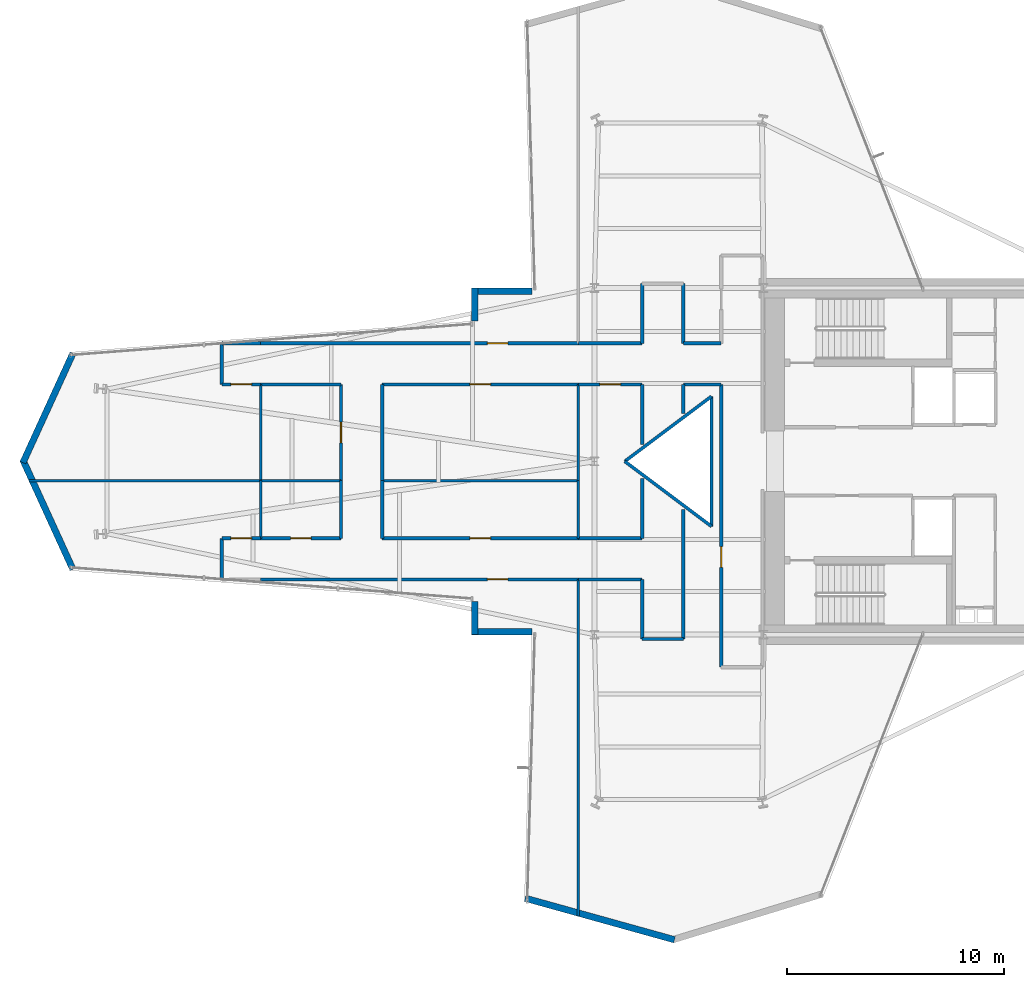
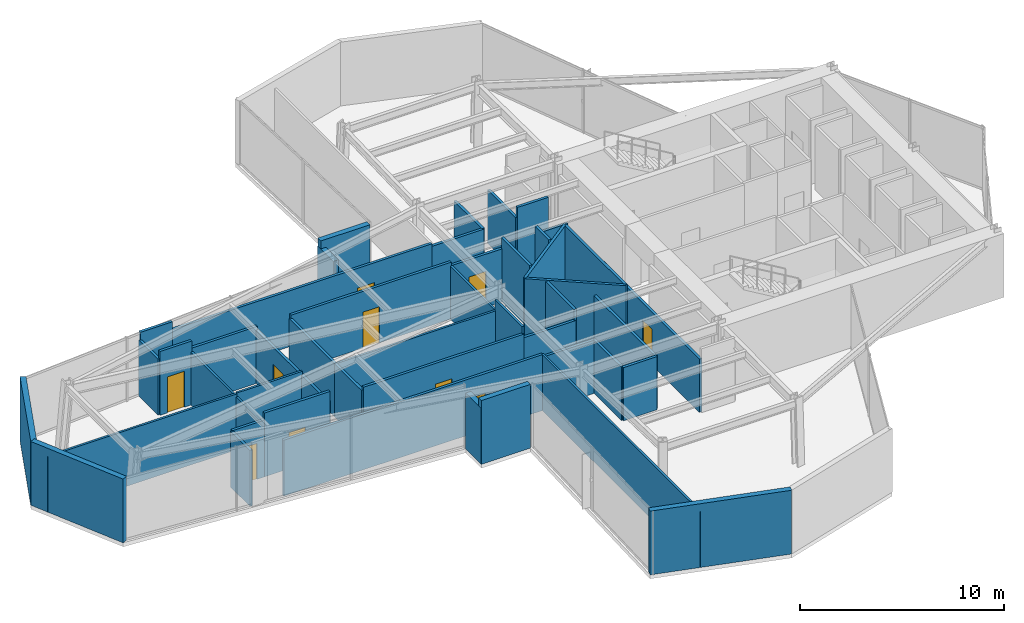
# One storey, part 26 of 29: 48 walls, 10 doors, 10 openings.
"""IFC4 building model written with IfcOpenShell, lengths in metres."""

import ifcopenshell
import ifcopenshell.guid

model = None  # the IFC model being written
_history = None  # IfcOwnerHistory: only IFC2X3 demands one
_inside = {}  # id of a spatial element -> (the spatial element, [elements in it])
_under = {}  # id of a project, library or spatial element -> (it, [spatial elements below it])
_declared = {}  # id of a project -> (the project, [libraries it declares])
_typed = {}  # id of a type object -> (the type object, [elements of that type])
_made_of = {}  # id of a material, layer set ... -> (it, [elements and type objects made of it])


def new_model(schema):
    """Start an empty IFC model of exactly this schema.

    Asked for "IFC4X3", IfcOpenShell would pick the latest addendum, in which some entities
    have other attributes; the version numbers below select the first issue.
    IFC2X3 requires an IfcOwnerHistory on every rooted entity: one is made here for all.
    """
    global model, _history
    if schema == "IFC4X3":
        model = ifcopenshell.file(schema_version=(4, 3, 0, 0))
    else:
        model = ifcopenshell.file(schema=schema)
    _inside.clear()
    _under.clear()
    _declared.clear()
    _typed.clear()
    _made_of.clear()
    _history = None
    if model.schema == "IFC2X3":
        org = make("IfcOrganization", Name="unknown")
        user = make(
            "IfcPersonAndOrganization",
            ThePerson=make("IfcPerson", FamilyName="unknown"),
            TheOrganization=org,
        )
        app = make(
            "IfcApplication",
            ApplicationDeveloper=org,
            Version="unknown",
            ApplicationFullName="unknown",
            ApplicationIdentifier="unknown",
        )
        _history = make(
            "IfcOwnerHistory",
            OwningUser=user,
            OwningApplication=app,
            ChangeAction="ADDED",
            CreationDate=0,
        )
    return model


def make(cls, **values):
    """One entity of the class cls with the attributes given. An attribute that is None is left unset."""
    return model.create_entity(
        cls, **{name: value for name, value in values.items() if value is not None}
    )


def rooted(cls, **values):
    """An entity with a GlobalId (a new one), such as an element, a storey or a relation."""
    return make(cls, GlobalId=ifcopenshell.guid.new(), OwnerHistory=_history, **values)


def si_unit(unit_type, name, prefix=None):
    """IfcSIUnit, for example si_unit("LENGTHUNIT", "METRE", prefix="MILLI")."""
    return make("IfcSIUnit", UnitType=unit_type, Prefix=prefix, Name=name)


def assignment(units):
    """IfcUnitAssignment: the units of a project."""
    return None if units is None else make("IfcUnitAssignment", Units=units)


def point(xyz):
    """IfcCartesianPoint."""
    return None if xyz is None else make("IfcCartesianPoint", Coordinates=xyz)


def direction(xyz):
    """IfcDirection."""
    return None if xyz is None else make("IfcDirection", DirectionRatios=xyz)


def frame(location, z_axis=None, x_axis=None):
    """IfcAxis2Placement3D, a coordinate frame: its origin and axes. An axis left out is left unset."""
    return make(
        "IfcAxis2Placement3D",
        Location=point(location),
        Axis=direction(z_axis),
        RefDirection=direction(x_axis),
    )


def frame_2d(location, x_axis=None):
    """IfcAxis2Placement2D, a coordinate frame in the plane: its origin and x axis."""
    return make(
        "IfcAxis2Placement2D", Location=point(location), RefDirection=direction(x_axis)
    )


def origin():
    """The frame at (0, 0, 0) with its axes left unset."""
    return frame((0.0, 0.0, 0.0))


def place(relative_to, where):
    """IfcLocalPlacement: puts the frame where relative to a parent placement (None: the world)."""
    return make(
        "IfcLocalPlacement", PlacementRelTo=relative_to, RelativePlacement=where
    )


def context(
    kind, dimensions, precision=None, world=None, true_north=None, identifier=None
):
    """IfcGeometricRepresentationContext, for example the 3D "Model" context."""
    return make(
        "IfcGeometricRepresentationContext",
        ContextIdentifier=identifier,
        ContextType=kind,
        CoordinateSpaceDimension=dimensions,
        Precision=precision,
        WorldCoordinateSystem=world,
        TrueNorth=true_north,
    )


def subcontext(parent, identifier, kind, view, scale=None):
    """IfcGeometricRepresentationSubContext, for example "Body" below "Model"."""
    return make(
        "IfcGeometricRepresentationSubContext",
        ContextIdentifier=identifier,
        ContextType=kind,
        ParentContext=parent,
        TargetScale=scale,
        TargetView=view,
    )


def project(units=None, contexts=None):
    """IfcProject with its units and contexts."""
    return rooted(
        "IfcProject",
        Name="project",
        RepresentationContexts=contexts,
        UnitsInContext=assignment(units),
    )


def spatial(cls, under=None, at=None, **own):
    """A site, building, storey or space (cls), placed at a placement, below another one or the project."""
    s = rooted(cls, ObjectPlacement=at, **own)
    if under is not None:
        _under.setdefault(under.id(), (under, []))[1].append(s)
    return s


def profile(cls, at=None, kind="AREA", **sizes):
    """A parametric profile (cls). Its sizes go by their IFC names, for example OverallWidth=200.0."""
    return make(cls, ProfileType=kind, Position=at, **sizes)


def rectangle(**sizes):
    """IfcRectangleProfileDef."""
    return profile("IfcRectangleProfileDef", **sizes)


def extrude(swept, where, along, depth):
    """IfcExtrudedAreaSolid: the profile swept, set in the frame where, extruded along a direction by depth."""
    return make(
        "IfcExtrudedAreaSolid",
        SweptArea=swept,
        Position=where,
        ExtrudedDirection=direction(along),
        Depth=depth,
    )


def shape(context_of_items, identifier, shape_type, items):
    """IfcShapeRepresentation: the items that make up one representation, for example the "Body"."""
    return make(
        "IfcShapeRepresentation",
        ContextOfItems=context_of_items,
        RepresentationIdentifier=identifier,
        RepresentationType=shape_type,
        Items=items,
    )


def material(Name=None, Category=None):
    """IfcMaterial."""
    return make("IfcMaterial", Name=Name, Category=Category)


def layer(
    of_material, thickness, ventilated=None, Name=None, Category=None, Priority=None
):
    """IfcMaterialLayer: one layer of a wall or slab, of a material (None: an air gap)."""
    return make(
        "IfcMaterialLayer",
        Material=of_material,
        LayerThickness=thickness,
        IsVentilated=ventilated,
        Name=Name,
        Category=Category,
        Priority=Priority,
    )


def layer_set(layers, Name=None):
    """IfcMaterialLayerSet."""
    return make("IfcMaterialLayerSet", MaterialLayers=layers, LayerSetName=Name)


def made_of(thing, what):
    """Note that an element or type object is made of a material, layer set ...; save() writes the relation."""
    if what is not None:
        _made_of.setdefault(what.id(), (what, []))[1].append(thing)
    return thing


def type_object(cls, material=None, **own):
    """A type object (cls), such as IfcWallType, which elements share."""
    return made_of(rooted(cls, **own), material)


def element(
    cls,
    number,
    at=None,
    inside=None,
    cuts=None,
    type_object=None,
    material=None,
    context=None,
    identifier="Body",
    shape_type=None,
    held_by="IfcProductDefinitionShape",
    body=None,
    shapes=None,
    **own,
):
    """One element of the class cls, such as IfcWall. Its Tag is "e" and its number.

    at: its placement. inside: the storey or other place that contains it. cuts: it is an
    opening in that element (IfcRelVoidsElement). A single representation is given by context,
    identifier, shape_type and body (its items); several are given by shapes. held_by: the class
    of the entity that holds the representations. save() writes the other relations.
    """
    e = rooted(cls, Tag="e%d" % number, ObjectPlacement=at, **own)
    if body is not None:
        shapes = [shape(context, identifier, shape_type, body)]
    if shapes is not None:
        e.Representation = make(held_by, Representations=shapes)
    if inside is not None:
        _inside.setdefault(inside.id(), (inside, []))[1].append(e)
    if cuts is not None:
        rooted(
            "IfcRelVoidsElement", RelatingBuildingElement=cuts, RelatedOpeningElement=e
        )
    if type_object is not None:
        _typed.setdefault(type_object.id(), (type_object, []))[1].append(e)
    return made_of(e, material)


def fill(opening, filler):
    """IfcRelFillsElement: the door or window that sits in an opening."""
    return rooted(
        "IfcRelFillsElement",
        RelatingOpeningElement=opening,
        RelatedBuildingElement=filler,
    )


def aggregate(whole, parts):
    """IfcRelAggregates: a whole, such as a stair, and the parts it consists of."""
    return rooted("IfcRelAggregates", RelatingObject=whole, RelatedObjects=parts)


def save(model, path):
    """Write the relations noted so far, then the file.

    IfcRelAggregates (storeys below a building ...), IfcRelContainedInSpatialStructure (elements
    in a storey), IfcRelDefinesByType, IfcRelAssociatesMaterial and IfcRelDeclares: one each for
    every whole, place, type object, material and project.
    """
    for whole, parts in _under.values():
        aggregate(whole, parts)
    for where, things in _inside.values():
        rooted(
            "IfcRelContainedInSpatialStructure",
            RelatedElements=things,
            RelatingStructure=where,
        )
    for kind, things in _typed.values():
        rooted("IfcRelDefinesByType", RelatedObjects=things, RelatingType=kind)
    for what, things in _made_of.values():
        rooted("IfcRelAssociatesMaterial", RelatedObjects=things, RelatingMaterial=what)
    for by, libraries in _declared.values():
        rooted("IfcRelDeclares", RelatingContext=by, RelatedDefinitions=libraries)
    model.write(path)


model = new_model("IFC4")

# Units and contexts
model_context = context("Model", 3, precision=1e-05, world=origin(), true_north=direction((0.0, 1.0)))
body_context = subcontext(model_context, "Body", "Model", "MODEL_VIEW")
ifc_project = project(units=[si_unit("LENGTHUNIT", "METRE"), si_unit("AREAUNIT", "SQUARE_METRE"), si_unit("VOLUMEUNIT", "CUBIC_METRE"), si_unit("PLANEANGLEUNIT", "RADIAN"), si_unit("MASSUNIT", "GRAM", prefix="KILO")], contexts=[model_context])

# Site, building, storey
site_placement = place(None, origin())
site = spatial("IfcSite", under=ifc_project, at=site_placement, CompositionType="ELEMENT")
building_placement = place(site_placement, origin())
building = spatial("IfcBuilding", under=site, at=building_placement, Name="Veymaron Broadcast Tower", CompositionType="ELEMENT")
storey_placement = place(building_placement, frame((0.0, 0.0, 58.050048828125)))
storey = spatial("IfcBuildingStorey", under=building, at=storey_placement, Name="L12", CompositionType="ELEMENT", Elevation=58.050048828125)

# Walls
ifc_material_1 = material(Name="Precast concrete C40/50 with mineral-wool insulation", Category="concrete")
ifc_layer_1 = layer(ifc_material_1, 0.300048828125)
ifc_layer_set_1 = layer_set([ifc_layer_1], Name="Precast concrete C40/50 with mineral-wool insulation")
wall_type_1 = type_object("IfcWallType", Name="WALL-EXT-300", PredefinedType="STANDARD", material=ifc_layer_set_1)
wall_1_placement = place(storey_placement, frame((28.305419921875, 31.860107421875, 0.0), z_axis=(0.0, 0.0, 1.0), x_axis=(-1.0, 0.0, 0.0)))
element("IfcWall", 1, at=wall_1_placement, inside=storey, type_object=wall_type_1, Name="L12 notched corner facade pier 9-1", PredefinedType="STANDARD", context=body_context, shape_type="SweptSolid", body=[
    extrude(rectangle(XDim=2.77734375, YDim=0.300048828125, at=frame_2d((1.388671875, 0.0))), origin(), (0.0, 0.0, 1.0), 3.81005859375),
])
wall_2_placement = place(storey_placement, frame((25.66796875, 32.0, 0.0), z_axis=(0.0, 0.0, 1.0), x_axis=(0.0, -1.0, 0.0)))
element("IfcWall", 2, at=wall_2_placement, inside=storey, type_object=wall_type_1, Name="L12 notched corner facade pier 10-1", PredefinedType="STANDARD", context=body_context, shape_type="SweptSolid", body=[
    extrude(rectangle(XDim=1.52392578125, YDim=0.300048828125, at=frame_2d((0.761962890625, 0.0))), origin(), (0.0, 0.0, 1.0), 3.337890625),
])
for number, where, z_axis, x_axis, name in (
    (3, (7.127197265625, 28.9814453125, 0.0), (0.0, 0.0, 1.0), (-0.415783708404, -0.909463527485, 0.0), "L12 notched corner facade pier 12-1"),
    (4, (4.8232421875, 24.05810546875, 0.0), (0.0, 0.0, 1.0), (0.415783708404, -0.909463527485, 0.0), "L12 notched corner facade pier 13-1"),
):
    element("IfcWall", number, at=place(storey_placement, frame(where, z_axis=z_axis, x_axis=x_axis)), inside=storey, type_object=wall_type_1, Name=name, PredefinedType="STANDARD", context=body_context, shape_type="SweptSolid", body=[
        extrude(rectangle(XDim=5.541259765625, YDim=0.300048828125, at=frame_2d((2.7705078125, 0.0))), origin(), (0.0, 0.0, 1.0), 3.81005859375),
    ])
wall_3_placement = place(storey_placement, frame((25.66796875, 17.52392578125, 0.0), z_axis=(0.0, 0.0, 1.0), x_axis=(0.0, -1.0, 0.0)))
element("IfcWall", 5, at=wall_3_placement, inside=storey, type_object=wall_type_1, Name="L12 notched corner facade pier 15-1", PredefinedType="STANDARD", context=body_context, shape_type="SweptSolid", body=[
    extrude(rectangle(XDim=1.52392578125, YDim=0.300048828125, at=frame_2d((0.761962890625, 0.0))), origin(), (0.0, 0.0, 1.0), 3.337890625),
])
wall_4_placement = place(storey_placement, frame((25.528076171875, 16.139892578125, 0.0), z_axis=(0.0, 0.0, 1.0), x_axis=(1.0, 0.0, 0.0)))
element("IfcWall", 6, at=wall_4_placement, inside=storey, type_object=wall_type_1, Name="L12 notched corner facade pier 16-1", PredefinedType="STANDARD", context=body_context, shape_type="SweptSolid", body=[
    extrude(rectangle(XDim=2.77734375, YDim=0.300048828125, at=frame_2d((1.388671875, 0.0))), origin(), (0.0, 0.0, 1.0), 3.81005859375),
])
wall_5_placement = place(storey_placement, frame((27.9970703125, 3.8388671875, 0.0), z_axis=(0.0, 0.0, 1.0), x_axis=(0.963365312104, -0.268192608836, 0.0)))
element("IfcWall", 7, at=wall_5_placement, inside=storey, type_object=wall_type_1, Name="L12 notched corner facade pier 18-1", PredefinedType="STANDARD", context=body_context, shape_type="SweptSolid", body=[
    extrude(rectangle(XDim=7.15869140625, YDim=0.300048828125, at=frame_2d((3.579345703125, 0.0))), origin(), (0.0, 0.0, 1.0), 3.81005859375),
])

# Wall, opening, door
ifc_material_2 = material(Name="Gypsum fireboard and steel stud framing", Category="steel")
ifc_layer_2 = layer(ifc_material_2, 0.14990234375)
ifc_layer_set_2 = layer_set([ifc_layer_2], Name="Gypsum fireboard and steel stud framing")
wall_type_2 = type_object("IfcWallType", Name="WALL-FIRE-150", PredefinedType="PARTITIONING", material=ifc_layer_set_2)
wall_6_placement = place(storey_placement, frame((37.050048828125, 14.5, 0.0), z_axis=(0.0, 0.0, 1.0), x_axis=(0.0, 1.0, 0.0)))
wall_6 = element("IfcWall", 8, at=wall_6_placement, inside=storey, type_object=wall_type_2, Name="L12 partition IW-L12-P01", PredefinedType="PARTITIONING", context=body_context, shape_type="SweptSolid", body=[
    extrude(rectangle(XDim=13.050048828125, YDim=0.14990234375, at=frame_2d((6.52490234375, 0.0))), origin(), (0.0, 0.0, 1.0), 3.180908203125),
])
opening_1_placement = place(wall_6_placement, frame((4.610107421875, 0.0, 0.0)))
opening_1 = element("IfcOpeningElement", 9, at=opening_1_placement, cuts=wall_6, Name="Opening ID-RM1", PredefinedType="OPENING", context=body_context, shape_type="SweptSolid", body=[
    extrude(rectangle(XDim=0.949951171875, YDim=2.14990234375, at=frame_2d((0.47509765625, 1.074951171875))), frame((0.0, 0.0849609375, 0.0), z_axis=(0.0, -1.0, 0.0), x_axis=(1.0, 0.0, 0.0)), (0.0, 0.0, 1.0), 0.169921875),
])
ifc_material_3 = material(Name="Acoustic solid-core European oak veneer timber", Category="wood")
door_type = type_object("IfcDoorType", Name="DOOR-INT-950", OperationType="NOTDEFINED", PredefinedType="DOOR", material=ifc_material_3)
door_1_placement = place(opening_1_placement, frame((0.949951171875, 0.0, 0.0), z_axis=(0.0, 0.0, 1.0), x_axis=(-1.0, 0.0, 0.0)))
door_1 = element("IfcDoor", 10, at=door_1_placement, inside=storey, type_object=door_type, Name="L12 door DR-L12-P01", OperationType="SINGLE_SWING_RIGHT", OverallHeight=2.14990234375, OverallWidth=0.949951171875, PredefinedType="DOOR", context=body_context, shape_type="SweptSolid", body=[
    extrude(rectangle(XDim=0.949951171875, YDim=2.14990234375, at=frame_2d((0.47509765625, 1.074951171875))), frame((0.0, 0.02490234375, 0.0), z_axis=(0.0, -1.0, 0.0), x_axis=(1.0, 0.0, 0.0)), (0.0, 0.0, 1.0), 0.050048828125),
])
fill(opening_1, door_1)

wall_7_placement = place(storey_placement, frame((15.7939453125, 18.550048828125, 0.0), z_axis=(0.0, 0.0, 1.0), x_axis=(1.0, 0.0, 0.0)))
wall_7 = element("IfcWall", 11, at=wall_7_placement, inside=storey, type_object=wall_type_2, Name="L12 partition IW-L12-P10", PredefinedType="PARTITIONING", context=body_context, shape_type="SweptSolid", body=[
    extrude(rectangle(XDim=14.6650390625, YDim=0.14990234375, at=frame_2d((7.33251953125, 0.0))), origin(), (0.0, 0.0, 1.0), 3.337890625),
])
opening_2_placement = place(wall_7_placement, frame((10.45751953125, 0.0, 0.0)))
opening_2 = element("IfcOpeningElement", 12, at=opening_2_placement, cuts=wall_7, Name="Opening ID-RM1", PredefinedType="OPENING", context=body_context, shape_type="SweptSolid", body=[
    extrude(rectangle(XDim=0.949951171875, YDim=2.14990234375, at=frame_2d((0.47509765625, 1.074951171875))), frame((0.0, 0.0849609375, 0.0), z_axis=(0.0, -1.0, 0.0), x_axis=(1.0, 0.0, 0.0)), (0.0, 0.0, 1.0), 0.169921875),
])
door_2_placement = place(opening_2_placement, frame((0.949951171875, 0.0, 0.0), z_axis=(0.0, 0.0, 1.0), x_axis=(-1.0, 0.0, 0.0)))
door_2 = element("IfcDoor", 13, at=door_2_placement, inside=storey, type_object=door_type, Name="L12 door DR-L12-P10", OperationType="SINGLE_SWING_LEFT", OverallHeight=2.14990234375, OverallWidth=0.949951171875, PredefinedType="DOOR", context=body_context, shape_type="SweptSolid", body=[
    extrude(rectangle(XDim=0.949951171875, YDim=2.14990234375, at=frame_2d((0.47509765625, 1.074951171875))), frame((0.0, 0.02490234375, 0.0), z_axis=(0.0, -1.0, 0.0), x_axis=(1.0, 0.0, 0.0)), (0.0, 0.0, 1.0), 0.050048828125),
])
fill(opening_2, door_2)

wall_8_placement = place(storey_placement, frame((14.0, 20.449951171875, 0.0), z_axis=(0.0, 0.0, 1.0), x_axis=(1.0, 0.0, 0.0)))
wall_8 = element("IfcWall", 14, at=wall_8_placement, inside=storey, type_object=wall_type_2, Name="L12 partition IW-L12-P13", PredefinedType="PARTITIONING", context=body_context, shape_type="SweptSolid", body=[
    extrude(rectangle(XDim=1.7939453125, YDim=0.14990234375, at=frame_2d((0.89697265625, 0.0))), origin(), (0.0, 0.0, 1.0), 3.390869140625),
])
opening_3_placement = place(wall_8_placement, frame((0.422119140625, 0.0, 0.0)))
opening_3 = element("IfcOpeningElement", 15, at=opening_3_placement, cuts=wall_8, Name="Opening ID-RM1", PredefinedType="OPENING", context=body_context, shape_type="SweptSolid", body=[
    extrude(rectangle(XDim=0.949951171875, YDim=2.14990234375, at=frame_2d((0.47509765625, 1.074951171875))), frame((0.0, 0.0849609375, 0.0), z_axis=(0.0, -1.0, 0.0), x_axis=(1.0, 0.0, 0.0)), (0.0, 0.0, 1.0), 0.169921875),
])
door_3_placement = place(opening_3_placement, origin())
door_3 = element("IfcDoor", 16, at=door_3_placement, inside=storey, type_object=door_type, Name="L12 door DR-L12-P13", OperationType="SINGLE_SWING_RIGHT", OverallHeight=2.14990234375, OverallWidth=0.949951171875, PredefinedType="DOOR", context=body_context, shape_type="SweptSolid", body=[
    extrude(rectangle(XDim=0.949951171875, YDim=2.14990234375, at=frame_2d((0.47509765625, 1.074951171875))), frame((0.0, 0.02490234375, 0.0), z_axis=(0.0, -1.0, 0.0), x_axis=(1.0, 0.0, 0.0)), (0.0, 0.0, 1.0), 0.050048828125),
])
fill(opening_3, door_3)

wall_9_placement = place(storey_placement, frame((15.7939453125, 20.449951171875, 0.0), z_axis=(0.0, 0.0, 1.0), x_axis=(1.0, 0.0, 0.0)))
wall_9 = element("IfcWall", 17, at=wall_9_placement, inside=storey, type_object=wall_type_2, Name="L12 partition IW-L12-P14", PredefinedType="PARTITIONING", context=body_context, shape_type="SweptSolid", body=[
    extrude(rectangle(XDim=3.7060546875, YDim=0.14990234375, at=frame_2d((1.85302734375, 0.0))), origin(), (0.0, 0.0, 1.0), 3.81005859375),
])
opening_4_placement = place(wall_9_placement, frame((1.3779296875, 0.0, 0.0)))
opening_4 = element("IfcOpeningElement", 18, at=opening_4_placement, cuts=wall_9, Name="Opening ID-RM1", PredefinedType="OPENING", context=body_context, shape_type="SweptSolid", body=[
    extrude(rectangle(XDim=0.949951171875, YDim=2.14990234375, at=frame_2d((0.47509765625, 1.074951171875))), frame((0.0, 0.0849609375, 0.0), z_axis=(0.0, -1.0, 0.0), x_axis=(1.0, 0.0, 0.0)), (0.0, 0.0, 1.0), 0.169921875),
])
door_4_placement = place(opening_4_placement, origin())
door_4 = element("IfcDoor", 19, at=door_4_placement, inside=storey, type_object=door_type, Name="L12 door DR-L12-P14", OperationType="SINGLE_SWING_LEFT", OverallHeight=2.14990234375, OverallWidth=0.949951171875, PredefinedType="DOOR", context=body_context, shape_type="SweptSolid", body=[
    extrude(rectangle(XDim=0.949951171875, YDim=2.14990234375, at=frame_2d((0.47509765625, 1.074951171875))), frame((0.0, 0.02490234375, 0.0), z_axis=(0.0, -1.0, 0.0), x_axis=(1.0, 0.0, 0.0)), (0.0, 0.0, 1.0), 0.050048828125),
])
fill(opening_4, door_4)

wall_10_placement = place(storey_placement, frame((21.39990234375, 20.449951171875, 0.0), z_axis=(0.0, 0.0, 1.0), x_axis=(1.0, 0.0, 0.0)))
wall_10 = element("IfcWall", 20, at=wall_10_placement, inside=storey, type_object=wall_type_2, Name="L12 partition IW-L12-P16", PredefinedType="PARTITIONING", context=body_context, shape_type="SweptSolid", body=[
    extrude(rectangle(XDim=9.05908203125, YDim=0.14990234375, at=frame_2d((4.529541015625, 0.0))), origin(), (0.0, 0.0, 1.0), 3.390869140625),
])
opening_5_placement = place(wall_10_placement, frame((4.054443359375, 0.0, 0.0)))
opening_5 = element("IfcOpeningElement", 21, at=opening_5_placement, cuts=wall_10, Name="Opening ID-RM1", PredefinedType="OPENING", context=body_context, shape_type="SweptSolid", body=[
    extrude(rectangle(XDim=0.949951171875, YDim=2.14990234375, at=frame_2d((0.47509765625, 1.074951171875))), frame((0.0, 0.0849609375, 0.0), z_axis=(0.0, -1.0, 0.0), x_axis=(1.0, 0.0, 0.0)), (0.0, 0.0, 1.0), 0.169921875),
])
door_5_placement = place(opening_5_placement, origin())
door_5 = element("IfcDoor", 22, at=door_5_placement, inside=storey, type_object=door_type, Name="L12 door DR-L12-P16", OperationType="SINGLE_SWING_LEFT", OverallHeight=2.14990234375, OverallWidth=0.949951171875, PredefinedType="DOOR", context=body_context, shape_type="SweptSolid", body=[
    extrude(rectangle(XDim=0.949951171875, YDim=2.14990234375, at=frame_2d((0.47509765625, 1.074951171875))), frame((0.0, 0.02490234375, 0.0), z_axis=(0.0, -1.0, 0.0), x_axis=(1.0, 0.0, 0.0)), (0.0, 0.0, 1.0), 0.050048828125),
])
fill(opening_5, door_5)

wall_11_placement = place(storey_placement, frame((30.458984375, 27.550048828125, 0.0), z_axis=(0.0, 0.0, 1.0), x_axis=(1.0, 0.0, 0.0)))
wall_11 = element("IfcWall", 23, at=wall_11_placement, inside=storey, type_object=wall_type_2, Name="L12 partition IW-L12-P18", PredefinedType="PARTITIONING", context=body_context, shape_type="SweptSolid", body=[
    extrude(rectangle(XDim=2.94091796875, YDim=0.14990234375, at=frame_2d((1.470458984375, 0.0))), origin(), (0.0, 0.0, 1.0), 3.180908203125),
])
opening_6_placement = place(wall_11_placement, frame((0.99560546875, 0.0, 0.0)))
opening_6 = element("IfcOpeningElement", 24, at=opening_6_placement, cuts=wall_11, Name="Opening ID-RM1", PredefinedType="OPENING", context=body_context, shape_type="SweptSolid", body=[
    extrude(rectangle(XDim=0.949951171875, YDim=2.14990234375, at=frame_2d((0.47509765625, 1.074951171875))), frame((0.0, 0.0849609375, 0.0), z_axis=(0.0, -1.0, 0.0), x_axis=(1.0, 0.0, 0.0)), (0.0, 0.0, 1.0), 0.169921875),
])
door_6_placement = place(opening_6_placement, frame((0.949951171875, 0.0, 0.0), z_axis=(0.0, 0.0, 1.0), x_axis=(-1.0, 0.0, 0.0)))
door_6 = element("IfcDoor", 25, at=door_6_placement, inside=storey, type_object=door_type, Name="L12 door DR-L12-P18", OperationType="SINGLE_SWING_LEFT", OverallHeight=2.14990234375, OverallWidth=0.949951171875, PredefinedType="DOOR", context=body_context, shape_type="SweptSolid", body=[
    extrude(rectangle(XDim=0.949951171875, YDim=2.14990234375, at=frame_2d((0.47509765625, 1.074951171875))), frame((0.0, 0.02490234375, 0.0), z_axis=(0.0, -1.0, 0.0), x_axis=(1.0, 0.0, 0.0)), (0.0, 0.0, 1.0), 0.050048828125),
])
fill(opening_6, door_6)

wall_12_placement = place(storey_placement, frame((19.5, 23.111083984375, 0.0), z_axis=(0.0, 0.0, 1.0), x_axis=(0.0, 1.0, 0.0)))
wall_12 = element("IfcWall", 26, at=wall_12_placement, inside=storey, type_object=wall_type_2, Name="L12 partition IW-L12-P22", PredefinedType="PARTITIONING", context=body_context, shape_type="SweptSolid", body=[
    extrude(rectangle(XDim=4.43896484375, YDim=0.14990234375, at=frame_2d((2.219482421875, 0.0))), origin(), (0.0, 0.0, 1.0), 3.180908203125),
])
opening_7_placement = place(wall_12_placement, frame((1.744384765625, 0.0, 0.0)))
opening_7 = element("IfcOpeningElement", 27, at=opening_7_placement, cuts=wall_12, Name="Opening ID-RM1", PredefinedType="OPENING", context=body_context, shape_type="SweptSolid", body=[
    extrude(rectangle(XDim=0.949951171875, YDim=2.14990234375, at=frame_2d((0.47509765625, 1.074951171875))), frame((0.0, 0.0849609375, 0.0), z_axis=(0.0, -1.0, 0.0), x_axis=(1.0, 0.0, 0.0)), (0.0, 0.0, 1.0), 0.169921875),
])
door_7_placement = place(opening_7_placement, origin())
door_7 = element("IfcDoor", 28, at=door_7_placement, inside=storey, type_object=door_type, Name="L12 door DR-L12-P22", OperationType="SINGLE_SWING_LEFT", OverallHeight=2.14990234375, OverallWidth=0.949951171875, PredefinedType="DOOR", context=body_context, shape_type="SweptSolid", body=[
    extrude(rectangle(XDim=0.949951171875, YDim=2.14990234375, at=frame_2d((0.47509765625, 1.074951171875))), frame((0.0, 0.02490234375, 0.0), z_axis=(0.0, -1.0, 0.0), x_axis=(1.0, 0.0, 0.0)), (0.0, 0.0, 1.0), 0.050048828125),
])
fill(opening_7, door_7)

wall_13_placement = place(storey_placement, frame((21.39990234375, 27.550048828125, 0.0), z_axis=(0.0, 0.0, 1.0), x_axis=(1.0, 0.0, 0.0)))
wall_13 = element("IfcWall", 29, at=wall_13_placement, inside=storey, type_object=wall_type_2, Name="L12 partition IW-L12-P24", PredefinedType="PARTITIONING", context=body_context, shape_type="SweptSolid", body=[
    extrude(rectangle(XDim=9.05908203125, YDim=0.14990234375, at=frame_2d((4.529541015625, 0.0))), origin(), (0.0, 0.0, 1.0), 3.390869140625),
])
opening_8_placement = place(wall_13_placement, frame((4.054443359375, 0.0, 0.0)))
opening_8 = element("IfcOpeningElement", 30, at=opening_8_placement, cuts=wall_13, Name="Opening ID-RM1", PredefinedType="OPENING", context=body_context, shape_type="SweptSolid", body=[
    extrude(rectangle(XDim=0.949951171875, YDim=2.14990234375, at=frame_2d((0.47509765625, 1.074951171875))), frame((0.0, 0.0849609375, 0.0), z_axis=(0.0, -1.0, 0.0), x_axis=(1.0, 0.0, 0.0)), (0.0, 0.0, 1.0), 0.169921875),
])
door_8_placement = place(opening_8_placement, frame((0.949951171875, 0.0, 0.0), z_axis=(0.0, 0.0, 1.0), x_axis=(-1.0, 0.0, 0.0)))
door_8 = element("IfcDoor", 31, at=door_8_placement, inside=storey, type_object=door_type, Name="L12 door DR-L12-P24", OperationType="SINGLE_SWING_LEFT", OverallHeight=2.14990234375, OverallWidth=0.949951171875, PredefinedType="DOOR", context=body_context, shape_type="SweptSolid", body=[
    extrude(rectangle(XDim=0.949951171875, YDim=2.14990234375, at=frame_2d((0.47509765625, 1.074951171875))), frame((0.0, 0.02490234375, 0.0), z_axis=(0.0, -1.0, 0.0), x_axis=(1.0, 0.0, 0.0)), (0.0, 0.0, 1.0), 0.050048828125),
])
fill(opening_8, door_8)

wall_14_placement = place(storey_placement, frame((14.0, 27.550048828125, 0.0), z_axis=(0.0, 0.0, 1.0), x_axis=(1.0, 0.0, 0.0)))
wall_14 = element("IfcWall", 32, at=wall_14_placement, inside=storey, type_object=wall_type_2, Name="L12 partition IW-L12-P27", PredefinedType="PARTITIONING", context=body_context, shape_type="SweptSolid", body=[
    extrude(rectangle(XDim=1.7939453125, YDim=0.14990234375, at=frame_2d((0.89697265625, 0.0))), origin(), (0.0, 0.0, 1.0), 3.81005859375),
])
opening_9_placement = place(wall_14_placement, frame((0.422119140625, 0.0, 0.0)))
opening_9 = element("IfcOpeningElement", 33, at=opening_9_placement, cuts=wall_14, Name="Opening ID-RM1", PredefinedType="OPENING", context=body_context, shape_type="SweptSolid", body=[
    extrude(rectangle(XDim=0.949951171875, YDim=2.14990234375, at=frame_2d((0.47509765625, 1.074951171875))), frame((0.0, 0.0849609375, 0.0), z_axis=(0.0, -1.0, 0.0), x_axis=(1.0, 0.0, 0.0)), (0.0, 0.0, 1.0), 0.169921875),
])
door_9_placement = place(opening_9_placement, frame((0.949951171875, 0.0, 0.0), z_axis=(0.0, 0.0, 1.0), x_axis=(-1.0, 0.0, 0.0)))
door_9 = element("IfcDoor", 34, at=door_9_placement, inside=storey, type_object=door_type, Name="L12 door DR-L12-P27", OperationType="SINGLE_SWING_RIGHT", OverallHeight=2.14990234375, OverallWidth=0.949951171875, PredefinedType="DOOR", context=body_context, shape_type="SweptSolid", body=[
    extrude(rectangle(XDim=0.949951171875, YDim=2.14990234375, at=frame_2d((0.47509765625, 1.074951171875))), frame((0.0, 0.02490234375, 0.0), z_axis=(0.0, -1.0, 0.0), x_axis=(1.0, 0.0, 0.0)), (0.0, 0.0, 1.0), 0.050048828125),
])
fill(opening_9, door_9)

wall_15_placement = place(storey_placement, frame((15.7939453125, 29.449951171875, 0.0), z_axis=(0.0, 0.0, 1.0), x_axis=(1.0, 0.0, 0.0)))
wall_15 = element("IfcWall", 35, at=wall_15_placement, inside=storey, type_object=wall_type_2, Name="L12 partition IW-L12-P29", PredefinedType="PARTITIONING", context=body_context, shape_type="SweptSolid", body=[
    extrude(rectangle(XDim=14.6650390625, YDim=0.14990234375, at=frame_2d((7.33251953125, 0.0))), origin(), (0.0, 0.0, 1.0), 3.337890625),
])
opening_10_placement = place(wall_15_placement, frame((10.45751953125, 0.0, 0.0)))
opening_10 = element("IfcOpeningElement", 36, at=opening_10_placement, cuts=wall_15, Name="Opening ID-RM1", PredefinedType="OPENING", context=body_context, shape_type="SweptSolid", body=[
    extrude(rectangle(XDim=0.949951171875, YDim=2.14990234375, at=frame_2d((0.47509765625, 1.074951171875))), frame((0.0, 0.0849609375, 0.0), z_axis=(0.0, -1.0, 0.0), x_axis=(1.0, 0.0, 0.0)), (0.0, 0.0, 1.0), 0.169921875),
])
door_10_placement = place(opening_10_placement, origin())
door_10 = element("IfcDoor", 37, at=door_10_placement, inside=storey, type_object=door_type, Name="L12 door DR-L12-P29", OperationType="SINGLE_SWING_RIGHT", OverallHeight=2.14990234375, OverallWidth=0.949951171875, PredefinedType="DOOR", context=body_context, shape_type="SweptSolid", body=[
    extrude(rectangle(XDim=0.949951171875, YDim=2.14990234375, at=frame_2d((0.47509765625, 1.074951171875))), frame((0.0, 0.02490234375, 0.0), z_axis=(0.0, -1.0, 0.0), x_axis=(1.0, 0.0, 0.0)), (0.0, 0.0, 1.0), 0.050048828125),
])
fill(opening_10, door_10)

# Walls
wall_16_placement = place(storey_placement, frame((35.300048828125, 15.800048828125, 0.0), z_axis=(0.0, 0.0, 1.0), x_axis=(0.0, 1.0, 0.0)))
element("IfcWall", 38, at=wall_16_placement, inside=storey, type_object=wall_type_2, Name="L12 partition IW-L12-P03", PredefinedType="PARTITIONING", context=body_context, shape_type="SweptSolid", body=[
    extrude(rectangle(XDim=5.987548828125, YDim=0.14990234375, at=frame_2d((2.99365234375, 0.0))), origin(), (0.0, 0.0, 1.0), 3.180908203125),
])
wall_17_placement = place(storey_placement, frame((30.458984375, 18.550048828125, 0.0), z_axis=(0.0, 0.0, 1.0), x_axis=(1.0, 0.0, 0.0)))
element("IfcWall", 39, at=wall_17_placement, inside=storey, type_object=wall_type_2, Name="L12 partition IW-L12-P04", PredefinedType="PARTITIONING", context=body_context, shape_type="SweptSolid", body=[
    extrude(rectangle(XDim=2.94091796875, YDim=0.14990234375, at=frame_2d((1.470458984375, 0.0))), origin(), (0.0, 0.0, 1.0), 3.180908203125),
])
wall_18_placement = place(storey_placement, frame((33.39990234375, 15.800048828125, 0.0), z_axis=(0.0, 0.0, 1.0), x_axis=(0.0, 1.0, 0.0)))
element("IfcWall", 40, at=wall_18_placement, inside=storey, type_object=wall_type_2, Name="L12 partition IW-L12-P05", PredefinedType="PARTITIONING", context=body_context, shape_type="SweptSolid", body=[
    extrude(rectangle(XDim=2.75, YDim=0.14990234375, at=frame_2d((1.375, 0.0))), origin(), (0.0, 0.0, 1.0), 3.180908203125),
])
wall_19_placement = place(storey_placement, frame((33.39990234375, 15.800048828125, 0.0), z_axis=(0.0, 0.0, 1.0), x_axis=(1.0, 0.0, 0.0)))
element("IfcWall", 41, at=wall_19_placement, inside=storey, type_object=wall_type_2, Name="L12 partition IW-L12-P07", PredefinedType="PARTITIONING", context=body_context, shape_type="SweptSolid", body=[
    extrude(rectangle(XDim=1.900146484375, YDim=0.14990234375, at=frame_2d((0.9501953125, 0.0))), origin(), (0.0, 0.0, 1.0), 3.180908203125),
])
wall_20_placement = place(storey_placement, frame((35.300048828125, 27.550048828125, 0.0), z_axis=(0.0, 0.0, 1.0), x_axis=(1.0, 0.0, 0.0)))
element("IfcWall", 42, at=wall_20_placement, inside=storey, type_object=wall_type_2, Name="L12 partition IW-L12-P08", PredefinedType="PARTITIONING", context=body_context, shape_type="SweptSolid", body=[
    extrude(rectangle(XDim=1.75, YDim=0.14990234375, at=frame_2d((0.875, 0.0))), origin(), (0.0, 0.0, 1.0), 3.390869140625),
])
wall_21_placement = place(storey_placement, frame((35.300048828125, 26.21240234375, 0.0), z_axis=(0.0, 0.0, 1.0), x_axis=(0.0, 1.0, 0.0)))
element("IfcWall", 43, at=wall_21_placement, inside=storey, type_object=wall_type_2, Name="L12 partition IW-L12-P09", PredefinedType="PARTITIONING", context=body_context, shape_type="SweptSolid", body=[
    extrude(rectangle(XDim=1.337646484375, YDim=0.14990234375, at=frame_2d((0.6689453125, 0.0))), origin(), (0.0, 0.0, 1.0), 3.81005859375),
])
wall_22_placement = place(storey_placement, frame((14.0, 18.550048828125, 0.0), z_axis=(0.0, 0.0, 1.0), x_axis=(0.0, 1.0, 0.0)))
element("IfcWall", 44, at=wall_22_placement, inside=storey, type_object=wall_type_2, Name="L12 partition IW-L12-P11", PredefinedType="PARTITIONING", context=body_context, shape_type="SweptSolid", body=[
    extrude(rectangle(XDim=1.89990234375, YDim=0.14990234375, at=frame_2d((0.949951171875, 0.0))), origin(), (0.0, 0.0, 1.0), 3.337890625),
])
for number, where, z_axis, x_axis, name in (
    (45, (19.5, 20.449951171875, 0.0), (0.0, 0.0, 1.0), (0.0, 1.0, 0.0), "L12 partition IW-L12-P15"),
    (46, (21.39990234375, 20.449951171875, 0.0), (0.0, 0.0, 1.0), (0.0, 1.0, 0.0), "L12 partition IW-L12-P17"),
):
    element("IfcWall", number, at=place(storey_placement, frame(where, z_axis=z_axis, x_axis=x_axis)), inside=storey, type_object=wall_type_2, Name=name, PredefinedType="PARTITIONING", context=body_context, shape_type="SweptSolid", body=[
        extrude(rectangle(XDim=2.6611328125, YDim=0.14990234375, at=frame_2d((1.33056640625, 0.0))), origin(), (0.0, 0.0, 1.0), 3.180908203125),
    ])
wall_23_placement = place(storey_placement, frame((30.458984375, 20.449951171875, 0.0), z_axis=(0.0, 0.0, 1.0), x_axis=(1.0, 0.0, 0.0)))
element("IfcWall", 47, at=wall_23_placement, inside=storey, type_object=wall_type_2, Name="L12 partition IW-L12-P19", PredefinedType="PARTITIONING", context=body_context, shape_type="SweptSolid", body=[
    extrude(rectangle(XDim=2.94091796875, YDim=0.14990234375, at=frame_2d((1.470458984375, 0.0))), origin(), (0.0, 0.0, 1.0), 3.180908203125),
])
for number, where, z_axis, x_axis, name in (
    (48, (33.39990234375, 24.78759765625, 0.0), (0.0, 0.0, 1.0), (0.0, 1.0, 0.0), "L12 partition IW-L12-P20"),
    (49, (33.39990234375, 20.449951171875, 0.0), (0.0, 0.0, 1.0), (0.0, 1.0, 0.0), "L12 partition IW-L12-P21"),
):
    element("IfcWall", number, at=place(storey_placement, frame(where, z_axis=z_axis, x_axis=x_axis)), inside=storey, type_object=wall_type_2, Name=name, PredefinedType="PARTITIONING", context=body_context, shape_type="SweptSolid", body=[
        extrude(rectangle(XDim=2.762451171875, YDim=0.14990234375, at=frame_2d((1.38134765625, 0.0))), origin(), (0.0, 0.0, 1.0), 3.81005859375),
    ])
wall_24_placement = place(storey_placement, frame((15.7939453125, 27.550048828125, 0.0), z_axis=(0.0, 0.0, 1.0), x_axis=(1.0, 0.0, 0.0)))
element("IfcWall", 50, at=wall_24_placement, inside=storey, type_object=wall_type_2, Name="L12 partition IW-L12-P23", PredefinedType="PARTITIONING", context=body_context, shape_type="SweptSolid", body=[
    extrude(rectangle(XDim=3.7060546875, YDim=0.14990234375, at=frame_2d((1.85302734375, 0.0))), origin(), (0.0, 0.0, 1.0), 3.390869140625),
])
wall_25_placement = place(storey_placement, frame((21.39990234375, 23.111083984375, 0.0), z_axis=(0.0, 0.0, 1.0), x_axis=(0.0, 1.0, 0.0)))
element("IfcWall", 51, at=wall_25_placement, inside=storey, type_object=wall_type_2, Name="L12 partition IW-L12-P25", PredefinedType="PARTITIONING", context=body_context, shape_type="SweptSolid", body=[
    extrude(rectangle(XDim=4.43896484375, YDim=0.14990234375, at=frame_2d((2.219482421875, 0.0))), origin(), (0.0, 0.0, 1.0), 3.180908203125),
])
wall_26_placement = place(storey_placement, frame((14.0, 27.550048828125, 0.0), z_axis=(0.0, 0.0, 1.0), x_axis=(0.0, 1.0, 0.0)))
element("IfcWall", 52, at=wall_26_placement, inside=storey, type_object=wall_type_2, Name="L12 partition IW-L12-P26", PredefinedType="PARTITIONING", context=body_context, shape_type="SweptSolid", body=[
    extrude(rectangle(XDim=1.89990234375, YDim=0.14990234375, at=frame_2d((0.949951171875, 0.0))), origin(), (0.0, 0.0, 1.0), 3.337890625),
])
wall_27_placement = place(storey_placement, frame((14.0, 29.449951171875, 0.0), z_axis=(0.0, 0.0, 1.0), x_axis=(1.0, 0.0, 0.0)))
element("IfcWall", 53, at=wall_27_placement, inside=storey, type_object=wall_type_2, Name="L12 partition IW-L12-P28", PredefinedType="PARTITIONING", context=body_context, shape_type="SweptSolid", body=[
    extrude(rectangle(XDim=1.7939453125, YDim=0.14990234375, at=frame_2d((0.89697265625, 0.0))), origin(), (0.0, 0.0, 1.0), 3.81005859375),
])
wall_28_placement = place(storey_placement, frame((30.458984375, 29.449951171875, 0.0), z_axis=(0.0, 0.0, 1.0), x_axis=(1.0, 0.0, 0.0)))
element("IfcWall", 54, at=wall_28_placement, inside=storey, type_object=wall_type_2, Name="L12 partition IW-L12-P32", PredefinedType="PARTITIONING", context=body_context, shape_type="SweptSolid", body=[
    extrude(rectangle(XDim=2.94091796875, YDim=0.14990234375, at=frame_2d((1.470458984375, 0.0))), origin(), (0.0, 0.0, 1.0), 3.180908203125),
])
for number, where, z_axis, x_axis, name in (
    (55, (33.39990234375, 29.449951171875, 0.0), (0.0, 0.0, 1.0), (0.0, 1.0, 0.0), "L12 partition IW-L12-P33"),
    (56, (35.300048828125, 29.449951171875, 0.0), (0.0, 0.0, 1.0), (0.0, 1.0, 0.0), "L12 partition IW-L12-P34"),
):
    element("IfcWall", number, at=place(storey_placement, frame(where, z_axis=z_axis, x_axis=x_axis)), inside=storey, type_object=wall_type_2, Name=name, PredefinedType="PARTITIONING", context=body_context, shape_type="SweptSolid", body=[
        extrude(rectangle(XDim=2.75, YDim=0.14990234375, at=frame_2d((1.375, 0.0))), origin(), (0.0, 0.0, 1.0), 3.180908203125),
    ])
wall_29_placement = place(storey_placement, frame((35.300048828125, 29.449951171875, 0.0), z_axis=(0.0, 0.0, 1.0), x_axis=(1.0, 0.0, 0.0)))
element("IfcWall", 57, at=wall_29_placement, inside=storey, type_object=wall_type_2, Name="L12 partition IW-L12-P37", PredefinedType="PARTITIONING", context=body_context, shape_type="SweptSolid", body=[
    extrude(rectangle(XDim=1.75, YDim=0.14990234375, at=frame_2d((0.875, 0.0))), origin(), (0.0, 0.0, 1.0), 3.81005859375),
])
ifc_material_4 = material(Name="Fire-rated laminated glass in aluminium frame", Category="aluminium")
ifc_layer_3 = layer(ifc_material_4, 0.14990234375)
ifc_layer_set_3 = layer_set([ifc_layer_3], Name="Fire-rated laminated glass in aluminium frame")
wall_type_3 = type_object("IfcWallType", Name="WALL-GLZ-150", PredefinedType="MOVABLE", material=ifc_layer_set_3)
wall_30_placement = place(storey_placement, frame((32.60009765625, 24.0, 0.0), z_axis=(0.0, 0.0, 1.0), x_axis=(0.8, -0.6, 0.0)))
element("IfcWall", 58, at=wall_30_placement, inside=storey, type_object=wall_type_3, Name="L12 partition IW-L12-ATR1", PredefinedType="MOVABLE", context=body_context, shape_type="SweptSolid", body=[
    extrude(rectangle(XDim=5.0, YDim=0.14990234375, at=frame_2d((2.5, 0.0))), origin(), (0.0, 0.0, 1.0), 3.81005859375),
])
wall_31_placement = place(storey_placement, frame((36.60009765625, 21.0, 0.0), z_axis=(0.0, 0.0, 1.0), x_axis=(0.0, 1.0, 0.0)))
element("IfcWall", 59, at=wall_31_placement, inside=storey, type_object=wall_type_3, Name="L12 partition IW-L12-ATR2", PredefinedType="MOVABLE", context=body_context, shape_type="SweptSolid", body=[
    extrude(rectangle(XDim=6.0, YDim=0.14990234375, at=frame_2d((3.0, 0.0))), origin(), (0.0, 0.0, 1.0), 3.81005859375),
])
wall_32_placement = place(storey_placement, frame((36.60009765625, 27.0, 0.0), z_axis=(0.0, 0.0, 1.0), x_axis=(-0.8, -0.6, 0.0)))
element("IfcWall", 60, at=wall_32_placement, inside=storey, type_object=wall_type_3, Name="L12 partition IW-L12-ATR3", PredefinedType="MOVABLE", context=body_context, shape_type="SweptSolid", body=[
    extrude(rectangle(XDim=5.0, YDim=0.14990234375, at=frame_2d((2.5, 0.0))), origin(), (0.0, 0.0, 1.0), 3.81005859375),
])
ifc_material_5 = material(Name="Acoustic gypsum board and galvanized stud", Category="gypsum")
ifc_layer_4 = layer(ifc_material_5, 0.1201171875)
ifc_layer_set_4 = layer_set([ifc_layer_4], Name="Acoustic gypsum board and galvanized stud")
wall_type_4 = type_object("IfcWallType", Name="WALL-PART-120", PredefinedType="PARTITIONING", material=ifc_layer_set_4)
wall_33_placement = place(storey_placement, frame((30.458984375, 3.00830078125, 0.0), z_axis=(0.0, 0.0, 1.0), x_axis=(0.0, 1.0, 0.0)))
element("IfcWall", 61, at=wall_33_placement, inside=storey, type_object=wall_type_4, Name="L12 partition IW-L12-P38", PredefinedType="PARTITIONING", context=body_context, shape_type="SweptSolid", body=[
    extrude(rectangle(XDim=15.541748046875, YDim=0.1201171875, at=frame_2d((7.77099609375, 0.0))), origin(), (0.0, 0.0, 1.0), 3.337890625),
])
wall_34_placement = place(storey_placement, frame((15.7939453125, 20.449951171875, 0.0), z_axis=(0.0, 0.0, 1.0), x_axis=(0.0, 1.0, 0.0)))
element("IfcWall", 62, at=wall_34_placement, inside=storey, type_object=wall_type_4, Name="L12 partition IW-L12-P39", PredefinedType="PARTITIONING", context=body_context, shape_type="SweptSolid", body=[
    extrude(rectangle(XDim=2.6611328125, YDim=0.1201171875, at=frame_2d((1.33056640625, 0.0))), origin(), (0.0, 0.0, 1.0), 3.180908203125),
])
wall_35_placement = place(storey_placement, frame((5.102294921875, 23.111083984375, 0.0), z_axis=(0.0, 0.0, 1.0), x_axis=(1.0, 0.0, 0.0)))
element("IfcWall", 63, at=wall_35_placement, inside=storey, type_object=wall_type_4, Name="L12 partition IW-L12-P40", PredefinedType="PARTITIONING", context=body_context, shape_type="SweptSolid", body=[
    extrude(rectangle(XDim=10.691650390625, YDim=0.1201171875, at=frame_2d((5.345703125, 0.0))), origin(), (0.0, 0.0, 1.0), 3.337890625),
])
wall_36_placement = place(storey_placement, frame((15.7939453125, 23.111083984375, 0.0), z_axis=(0.0, 0.0, 1.0), x_axis=(1.0, 0.0, 0.0)))
element("IfcWall", 64, at=wall_36_placement, inside=storey, type_object=wall_type_4, Name="L12 partition IW-L12-P41", PredefinedType="PARTITIONING", context=body_context, shape_type="SweptSolid", body=[
    extrude(rectangle(XDim=3.7060546875, YDim=0.1201171875, at=frame_2d((1.85302734375, 0.0))), origin(), (0.0, 0.0, 1.0), 3.390869140625),
])
wall_37_placement = place(storey_placement, frame((30.458984375, 20.449951171875, 0.0), z_axis=(0.0, 0.0, 1.0), x_axis=(0.0, 1.0, 0.0)))
element("IfcWall", 65, at=wall_37_placement, inside=storey, type_object=wall_type_4, Name="L12 partition IW-L12-P42", PredefinedType="PARTITIONING", context=body_context, shape_type="SweptSolid", body=[
    extrude(rectangle(XDim=2.6611328125, YDim=0.1201171875, at=frame_2d((1.33056640625, 0.0))), origin(), (0.0, 0.0, 1.0), 3.81005859375),
])
wall_38_placement = place(storey_placement, frame((21.39990234375, 23.111083984375, 0.0), z_axis=(0.0, 0.0, 1.0), x_axis=(1.0, 0.0, 0.0)))
element("IfcWall", 66, at=wall_38_placement, inside=storey, type_object=wall_type_4, Name="L12 partition IW-L12-P43", PredefinedType="PARTITIONING", context=body_context, shape_type="SweptSolid", body=[
    extrude(rectangle(XDim=9.05908203125, YDim=0.1201171875, at=frame_2d((4.529541015625, 0.0))), origin(), (0.0, 0.0, 1.0), 3.180908203125),
])
for number, where, z_axis, x_axis, name in (
    (67, (30.458984375, 23.111083984375, 0.0), (0.0, 0.0, 1.0), (0.0, 1.0, 0.0), "L12 partition IW-L12-P44"),
    (68, (15.7939453125, 23.111083984375, 0.0), (0.0, 0.0, 1.0), (0.0, 1.0, 0.0), "L12 partition IW-L12-P45"),
):
    element("IfcWall", number, at=place(storey_placement, frame(where, z_axis=z_axis, x_axis=x_axis)), inside=storey, type_object=wall_type_4, Name=name, PredefinedType="PARTITIONING", context=body_context, shape_type="SweptSolid", body=[
        extrude(rectangle(XDim=4.43896484375, YDim=0.1201171875, at=frame_2d((2.219482421875, 0.0))), origin(), (0.0, 0.0, 1.0), 3.180908203125),
    ])

save(model, "model.ifc")
